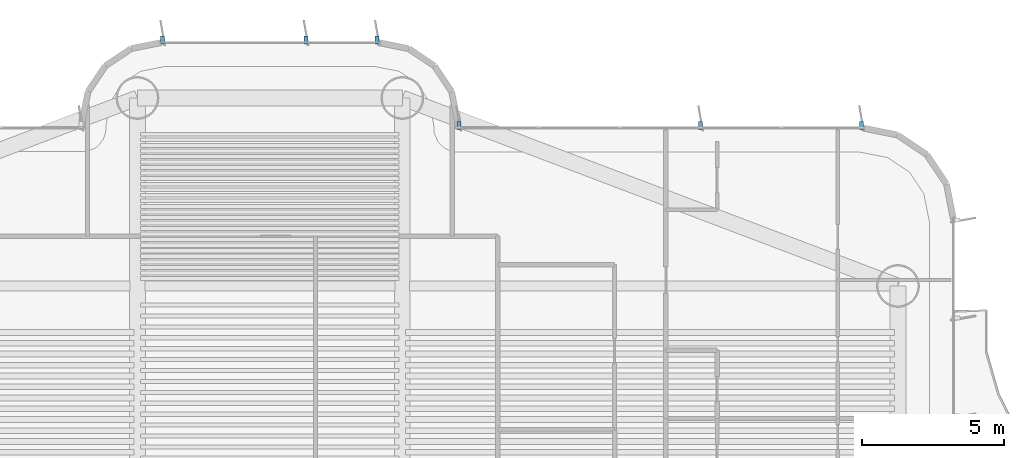
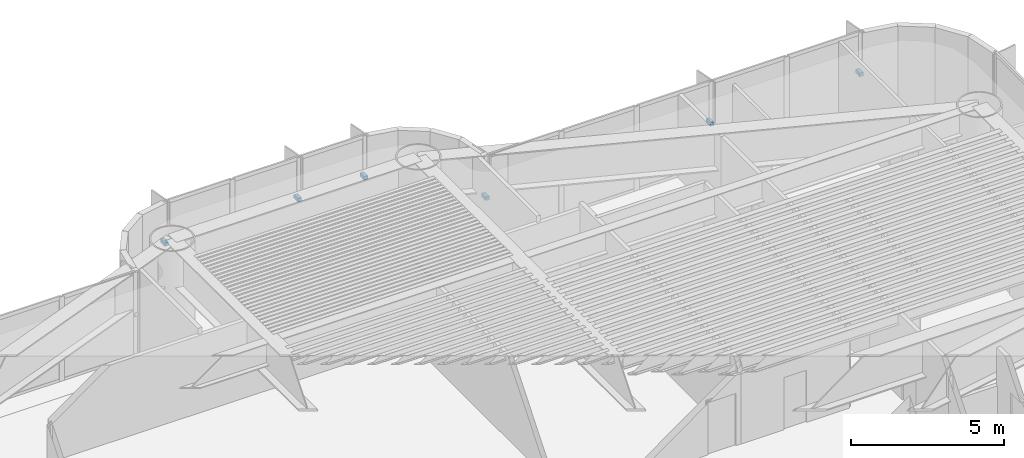
# One storey, part 13 of 17: 6 discrete accessories.
"""IFC4 building model written with IfcOpenShell, lengths in metres."""

from ifc_helpers import new_model, si_unit, direction, frame, origin, origin_2d, place, context, subcontext, project, spatial, rectangle, extrude, source, transform, mapped, material, type_object, element, save


model = new_model("IFC4")

# Units and contexts
model_context = context("Model", 3, precision=1e-05, world=origin(), true_north=direction((0.0, 1.0)))
body_context = subcontext(model_context, "Body", "Model", "MODEL_VIEW")
ifc_project = project(units=[si_unit("LENGTHUNIT", "METRE"), si_unit("AREAUNIT", "SQUARE_METRE"), si_unit("VOLUMEUNIT", "CUBIC_METRE"), si_unit("PLANEANGLEUNIT", "RADIAN"), si_unit("MASSUNIT", "GRAM", prefix="KILO")], contexts=[model_context])

# Site, building, storey
site_placement = place(None, origin())
site = spatial("IfcSite", under=ifc_project, at=site_placement, CompositionType="ELEMENT")
building_placement = place(site_placement, origin())
building = spatial("IfcBuilding", under=site, at=building_placement, Name="Brelvock Crest Care Tower", CompositionType="ELEMENT")
storey_placement = place(building_placement, frame((0.0, 0.0, 76.139892578125)))
storey = spatial("IfcBuildingStorey", under=building, at=storey_placement, Name="L19", CompositionType="ELEMENT", Elevation=76.139892578125)

# Discrete accessories
ifc_material = material(Name="Steel Grade 350", Category="steel")
discrete_accessory_type = type_object("IfcDiscreteAccessoryType", Name="ACC-BRK1", PredefinedType="BRACKET", material=ifc_material)
shared_shape = source(origin(), body_context, "Body", "SweptSolid", [
    extrude(rectangle(XDim=0.280029296875, YDim=0.139892578125, at=origin_2d()), origin(), (0.0, 0.0, 1.0), 0.139892578125),
])
for number, where, z_axis, x_axis, name in (
    (1, (32.232421875, 39.080078125, 1.6162109375), (0.0, 0.0, 1.0), (0.0, 1.0, 0.0), "L19 Facade Fin Bracket E24-01"),
    (2, (37.2666015625, 39.080078125, 1.6162109375), (0.0, 0.0, 1.0), (0.0, 1.0, 0.0), "L19 Facade Fin Bracket E24-03"),
    (3, (39.767578125, 39.080078125, 1.6162109375), (0.0, 0.0, 1.0), (0.0, 1.0, 0.0), "L19 Facade Fin Bracket E24-04"),
    (4, (42.632568359375, 36.080078125, 1.6162109375), (0.0, 0.0, 1.0), (0.0, 1.0, 0.0), "L19 Facade Fin Bracket E30-01"),
    (5, (51.1201171875, 36.080078125, 1.6162109375), (0.0, 0.0, 1.0), (0.0, 1.0, 0.0), "L19 Facade Fin Bracket E30-04"),
    (6, (56.767578125, 36.080078125, 1.6162109375), (0.0, 0.0, 1.0), (0.0, 1.0, 0.0), "L19 Facade Fin Bracket E30-06"),
):
    element("IfcDiscreteAccessory", number, at=place(storey_placement, frame(where, z_axis=z_axis, x_axis=x_axis)), inside=storey, type_object=discrete_accessory_type, Name=name, PredefinedType="BRACKET", context=body_context, shape_type="MappedRepresentation", body=[
        mapped(shared_shape, transform((0.0, 0.0, 0.0), x_axis=(1.0, 0.0, 0.0), y_axis=(0.0, 1.0, 0.0), z_axis=(0.0, 0.0, 1.0), scale=1.0)),
    ])

save(model, "model.ifc")
